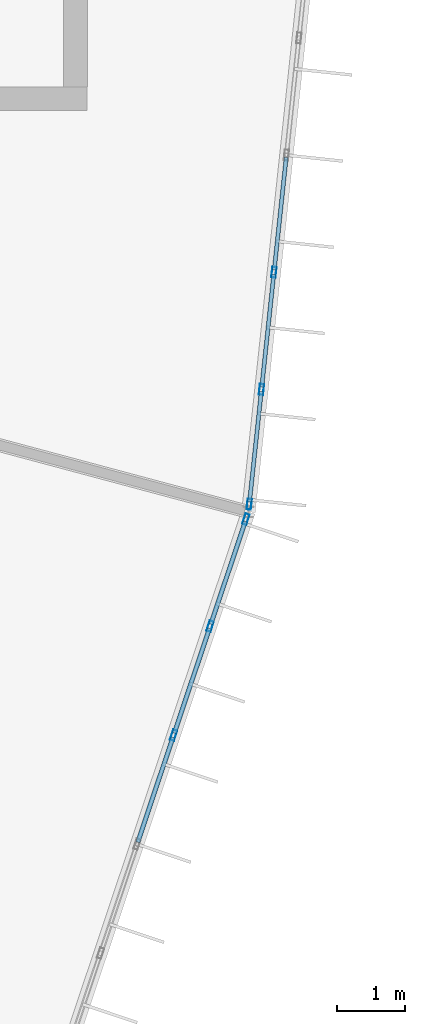
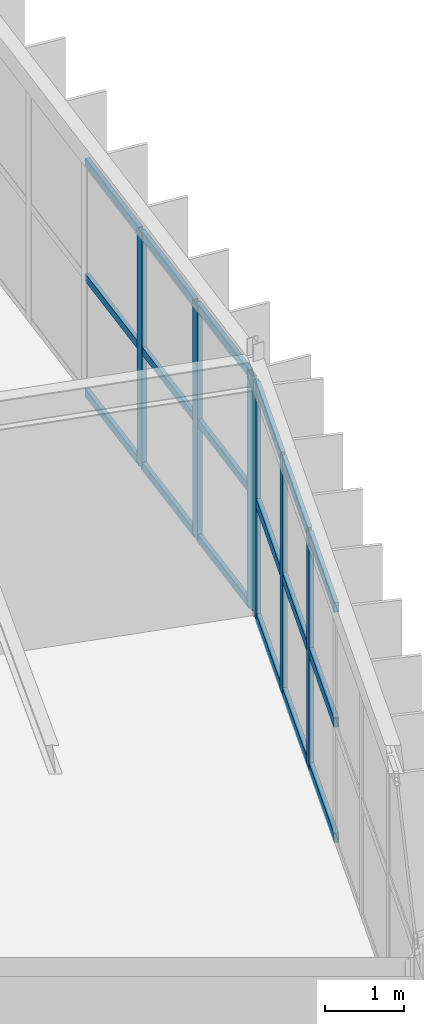
# One storey, part 74 of 157: 24 members, 2 elements without a shape of their own.
"""IFC4 building model written with IfcOpenShell, lengths in metres."""

from ifc_helpers import new_model, si_unit, direction, frame, origin, origin_2d, place, context, subcontext, project, spatial, hollow_rectangle, extrude, material, material_profile, profile_set, type_object, element, aggregate, save


model = new_model("IFC4")

# Units and contexts
model_context = context("Model", 3, precision=1e-05, world=origin(), true_north=direction((0.0, 1.0)))
body_context = subcontext(model_context, "Body", "Model", "MODEL_VIEW")
ifc_project = project(units=[si_unit("LENGTHUNIT", "METRE"), si_unit("AREAUNIT", "SQUARE_METRE"), si_unit("VOLUMEUNIT", "CUBIC_METRE"), si_unit("PLANEANGLEUNIT", "RADIAN"), si_unit("MASSUNIT", "GRAM", prefix="KILO")], contexts=[model_context])

# Site, building, storey
site_placement = place(None, origin())
site = spatial("IfcSite", under=ifc_project, at=site_placement, CompositionType="ELEMENT")
building_placement = place(site_placement, origin())
building = spatial("IfcBuilding", under=site, at=building_placement, Name="Karori Crest Natural Sciences Institute", CompositionType="ELEMENT")
storey_placement = place(building_placement, frame((0.0, 0.0, 13.300048828125)))
storey = spatial("IfcBuildingStorey", under=building, at=storey_placement, Name="L03", CompositionType="ELEMENT", Elevation=13.300048828125)

# Curtain wall, members
ifc_material = material(Name="Anodised architectural aluminium 6063-T6", Category="aluminium")
curtain_wall_type_1 = type_object("IfcCurtainWallType", Name="CWT-03", PredefinedType="NOTDEFINED", material=ifc_material)
curtain_wall_1_placement = place(storey_placement, origin())
curtain_wall_1 = element("IfcCurtainWall", 1, at=curtain_wall_1_placement, inside=storey, type_object=curtain_wall_type_1, Name="Curtain wall CW-0133", PredefinedType="NOTDEFINED")
ifc_material_profile_1 = material_profile(ifc_material, hollow_rectangle(XDim=0.06494140625, YDim=0.159912109375, WallThickness=0.00390625, at=origin_2d()), Name="CWM160x65x4")
ifc_profile_set_1 = profile_set([ifc_material_profile_1], Name="Anodised architectural aluminium 6063-T6")
member_type_1 = type_object("IfcMemberType", Name="CWM-01", PredefinedType="MULLION", material=ifc_profile_set_1)
member_1_placement = place(storey_placement, frame((98.23876953125, 39.230224609375, 0.0), z_axis=(0.0, 0.0, 1.0), x_axis=(0.94819805026, -0.317679803392, 0.0)))
member_1 = element("IfcMember", 2, at=member_1_placement, type_object=member_type_1, Name="CW-0133 mullion 1", PredefinedType="MULLION", context=body_context, shape_type="SweptSolid", body=[
    extrude(hollow_rectangle(XDim=0.06494140625, YDim=0.159912109375, WallThickness=0.00390625, at=origin_2d()), origin(), (0.0, 0.0, 1.0), 3.625),
])
member_2_placement = place(storey_placement, frame((97.7109375, 37.655029296875, 0.0), z_axis=(0.0, 0.0, 1.0), x_axis=(0.94819805026, -0.317679803392, 0.0)))
member_2 = element("IfcMember", 3, at=member_2_placement, type_object=member_type_1, Name="CW-0133 mullion 2", PredefinedType="MULLION", context=body_context, shape_type="SweptSolid", body=[
    extrude(hollow_rectangle(XDim=0.06494140625, YDim=0.159912109375, WallThickness=0.00390625, at=origin_2d()), origin(), (0.0, 0.0, 1.0), 3.625),
])
member_3_placement = place(storey_placement, frame((97.1728515625, 36.049072265625, 0.0), z_axis=(0.0, 0.0, 1.0), x_axis=(0.94819805026, -0.317679803392, 0.0)))
member_3 = element("IfcMember", 4, at=member_3_placement, type_object=member_type_1, Name="CW-0133 mullion 3", PredefinedType="MULLION", context=body_context, shape_type="SweptSolid", body=[
    extrude(hollow_rectangle(XDim=0.06494140625, YDim=0.159912109375, WallThickness=0.00390625, at=origin_2d()), origin(), (0.0, 0.0, 1.0), 3.625),
])

curtain_wall_type_2 = type_object("IfcCurtainWallType", Name="CWT-04", PredefinedType="NOTDEFINED", material=ifc_material)
curtain_wall_2_placement = place(storey_placement, origin())
curtain_wall_2 = element("IfcCurtainWall", 5, at=curtain_wall_2_placement, inside=storey, type_object=curtain_wall_type_2, Name="Curtain wall CW-0135", PredefinedType="NOTDEFINED")
member_4_placement = place(storey_placement, frame((98.6513671875, 42.8701171875, 0.0), z_axis=(0.0, 0.0, 1.0), x_axis=(0.994378309998, -0.105885677057, 0.0)))
member_4 = element("IfcMember", 6, at=member_4_placement, type_object=member_type_1, Name="CW-0135 mullion 5", PredefinedType="MULLION", context=body_context, shape_type="SweptSolid", body=[
    extrude(hollow_rectangle(XDim=0.06494140625, YDim=0.159912109375, WallThickness=0.00390625, at=origin_2d()), origin(), (0.0, 0.0, 1.0), 3.625),
])
member_5_placement = place(storey_placement, frame((98.4677734375, 41.144775390625, 0.0), z_axis=(0.0, 0.0, 1.0), x_axis=(0.994378309998, -0.105885677057, 0.0)))
member_5 = element("IfcMember", 7, at=member_5_placement, type_object=member_type_1, Name="CW-0135 mullion 6", PredefinedType="MULLION", context=body_context, shape_type="SweptSolid", body=[
    extrude(hollow_rectangle(XDim=0.06494140625, YDim=0.159912109375, WallThickness=0.00390625, at=origin_2d()), origin(), (0.0, 0.0, 1.0), 3.625),
])
member_6_placement = place(storey_placement, frame((98.287353515625, 39.45166015625, 0.0), z_axis=(0.0, 0.0, 1.0), x_axis=(0.994378309998, -0.105885677057, 0.0)))
member_6 = element("IfcMember", 8, at=member_6_placement, type_object=member_type_1, Name="CW-0135 mullion 7", PredefinedType="MULLION", context=body_context, shape_type="SweptSolid", body=[
    extrude(hollow_rectangle(XDim=0.06494140625, YDim=0.159912109375, WallThickness=0.00390625, at=origin_2d()), origin(), (0.0, 0.0, 1.0), 3.625),
])
ifc_material_profile_2 = material_profile(ifc_material, hollow_rectangle(XDim=0.06005859375, YDim=0.1201171875, WallThickness=0.00390625, at=origin_2d()), Name="CWT120x60x4")
ifc_profile_set_2 = profile_set([ifc_material_profile_2], Name="Anodised architectural aluminium 6063-T6")
member_type_2 = type_object("IfcMemberType", Name="CWT-TR1", PredefinedType="USERDEFINED", material=ifc_profile_set_2)
member_7_placement = place(storey_placement, frame((98.831787109375, 44.563232421875, 0.030029296875), z_axis=(-0.105841415473, -0.994383022165, 0.0), x_axis=(0.994383022165, -0.105841415473, 0.0)))
member_7 = element("IfcMember", 9, at=member_7_placement, type_object=member_type_2, Name="CW-0135 transom 4.1", ObjectType="TRANSOM", PredefinedType="USERDEFINED", context=body_context, shape_type="SweptSolid", body=[
    extrude(hollow_rectangle(XDim=0.06005859375, YDim=0.1201171875, WallThickness=0.00390625, at=origin_2d()), origin(), (0.0, 0.0, 1.0), 1.669921875),
])
member_8_placement = place(storey_placement, frame((98.831787109375, 44.563232421875, 1.8125), z_axis=(-0.105841415473, -0.994383022165, 0.0), x_axis=(0.994383022165, -0.105841415473, 0.0)))
member_8 = element("IfcMember", 10, at=member_8_placement, type_object=member_type_2, Name="CW-0135 transom 4.2", ObjectType="TRANSOM", PredefinedType="USERDEFINED", context=body_context, shape_type="SweptSolid", body=[
    extrude(hollow_rectangle(XDim=0.06005859375, YDim=0.1201171875, WallThickness=0.00390625, at=origin_2d()), origin(), (0.0, 0.0, 1.0), 1.669921875),
])
member_9_placement = place(storey_placement, frame((98.831787109375, 44.563232421875, 3.594970703125), z_axis=(-0.105841415473, -0.994383022165, 0.0), x_axis=(0.994383022165, -0.105841415473, 0.0)))
member_9 = element("IfcMember", 11, at=member_9_placement, type_object=member_type_2, Name="CW-0135 transom 4.3", ObjectType="TRANSOM", PredefinedType="USERDEFINED", context=body_context, shape_type="SweptSolid", body=[
    extrude(hollow_rectangle(XDim=0.06005859375, YDim=0.1201171875, WallThickness=0.00390625, at=origin_2d()), origin(), (0.0, 0.0, 1.0), 1.669921875),
])
member_10_placement = place(storey_placement, frame((98.64794921875, 42.837890625, 0.030029296875), z_axis=(-0.105826031672, -0.994384659486, 0.0), x_axis=(0.994384659486, -0.105826031672, 0.0)))
member_10 = element("IfcMember", 12, at=member_10_placement, type_object=member_type_2, Name="CW-0135 transom 5.1", ObjectType="TRANSOM", PredefinedType="USERDEFINED", context=body_context, shape_type="SweptSolid", body=[
    extrude(hollow_rectangle(XDim=0.06005859375, YDim=0.1201171875, WallThickness=0.00390625, at=origin_2d()), origin(), (0.0, 0.0, 1.0), 1.670166015625),
])
member_11_placement = place(storey_placement, frame((98.64794921875, 42.837890625, 1.8125), z_axis=(-0.105826031672, -0.994384659486, 0.0), x_axis=(0.994384659486, -0.105826031672, 0.0)))
member_11 = element("IfcMember", 13, at=member_11_placement, type_object=member_type_2, Name="CW-0135 transom 5.2", ObjectType="TRANSOM", PredefinedType="USERDEFINED", context=body_context, shape_type="SweptSolid", body=[
    extrude(hollow_rectangle(XDim=0.06005859375, YDim=0.1201171875, WallThickness=0.00390625, at=origin_2d()), origin(), (0.0, 0.0, 1.0), 1.670166015625),
])
member_12_placement = place(storey_placement, frame((98.64794921875, 42.837890625, 3.594970703125), z_axis=(-0.105826031672, -0.994384659486, 0.0), x_axis=(0.994384659486, -0.105826031672, 0.0)))
member_12 = element("IfcMember", 14, at=member_12_placement, type_object=member_type_2, Name="CW-0135 transom 5.3", ObjectType="TRANSOM", PredefinedType="USERDEFINED", context=body_context, shape_type="SweptSolid", body=[
    extrude(hollow_rectangle(XDim=0.06005859375, YDim=0.1201171875, WallThickness=0.00390625, at=origin_2d()), origin(), (0.0, 0.0, 1.0), 1.670166015625),
])
member_13_placement = place(storey_placement, frame((98.46435546875, 41.112548828125, 0.030029296875), z_axis=(-0.1059804823, -0.994368210157, 0.0), x_axis=(0.994368210157, -0.1059804823, 0.0)))
member_13 = element("IfcMember", 15, at=member_13_placement, type_object=member_type_2, Name="CW-0135 transom 6.1", ObjectType="TRANSOM", PredefinedType="USERDEFINED", context=body_context, shape_type="SweptSolid", body=[
    extrude(hollow_rectangle(XDim=0.06005859375, YDim=0.1201171875, WallThickness=0.00390625, at=origin_2d()), origin(), (0.0, 0.0, 1.0), 1.637939453125),
])
member_14_placement = place(storey_placement, frame((98.46435546875, 41.112548828125, 1.8125), z_axis=(-0.1059804823, -0.994368210157, 0.0), x_axis=(0.994368210157, -0.1059804823, 0.0)))
member_14 = element("IfcMember", 16, at=member_14_placement, type_object=member_type_2, Name="CW-0135 transom 6.2", ObjectType="TRANSOM", PredefinedType="USERDEFINED", context=body_context, shape_type="SweptSolid", body=[
    extrude(hollow_rectangle(XDim=0.06005859375, YDim=0.1201171875, WallThickness=0.00390625, at=origin_2d()), origin(), (0.0, 0.0, 1.0), 1.637939453125),
])
member_15_placement = place(storey_placement, frame((98.46435546875, 41.112548828125, 3.594970703125), z_axis=(-0.1059804823, -0.994368210157, 0.0), x_axis=(0.994368210157, -0.1059804823, 0.0)))
member_15 = element("IfcMember", 17, at=member_15_placement, type_object=member_type_2, Name="CW-0135 transom 6.3", ObjectType="TRANSOM", PredefinedType="USERDEFINED", context=body_context, shape_type="SweptSolid", body=[
    extrude(hollow_rectangle(XDim=0.06005859375, YDim=0.1201171875, WallThickness=0.00390625, at=origin_2d()), origin(), (0.0, 0.0, 1.0), 1.637939453125),
])
aggregate(curtain_wall_2, [member_4, member_5, member_6, member_7, member_8, member_9, member_10, member_11, member_12, member_13, member_14, member_15])

# Member
ifc_material_profile_3 = material_profile(ifc_material, hollow_rectangle(XDim=0.06494140625, YDim=0.14990234375, WallThickness=0.00390625, at=origin_2d()), Name="CWT150x65x4")
ifc_profile_set_3 = profile_set([ifc_material_profile_3], Name="Anodised architectural aluminium 6063-T6")
member_type_3 = type_object("IfcMemberType", Name="CWT-TR2", PredefinedType="USERDEFINED", material=ifc_profile_set_3)
member_16_placement = place(storey_placement, frame((98.228515625, 39.199462890625, 0.032470703125), z_axis=(-0.317695793379, -0.9481926929, 0.0), x_axis=(0.9481926929, -0.317695793379, 0.0)))
member_16 = element("IfcMember", 18, at=member_16_placement, type_object=member_type_3, Name="CW-0133 transom 1.1", ObjectType="TRANSOM", PredefinedType="USERDEFINED", context=body_context, shape_type="SweptSolid", body=[
    extrude(hollow_rectangle(XDim=0.06494140625, YDim=0.14990234375, WallThickness=0.00390625, at=origin_2d()), origin(), (0.0, 0.0, 1.0), 1.59619140625),
])

member_17_placement = place(storey_placement, frame((98.228515625, 39.199462890625, 1.8125), z_axis=(-0.317695793379, -0.9481926929, 0.0), x_axis=(0.9481926929, -0.317695793379, 0.0)))
member_17 = element("IfcMember", 19, at=member_17_placement, type_object=member_type_3, Name="CW-0133 transom 1.2", ObjectType="TRANSOM", PredefinedType="USERDEFINED", context=body_context, shape_type="SweptSolid", body=[
    extrude(hollow_rectangle(XDim=0.06494140625, YDim=0.14990234375, WallThickness=0.00390625, at=origin_2d()), origin(), (0.0, 0.0, 1.0), 1.59619140625),
])

member_18_placement = place(storey_placement, frame((98.228515625, 39.199462890625, 3.592529296875), z_axis=(-0.317695793379, -0.9481926929, 0.0), x_axis=(0.9481926929, -0.317695793379, 0.0)))
member_18 = element("IfcMember", 20, at=member_18_placement, type_object=member_type_3, Name="CW-0133 transom 1.3", ObjectType="TRANSOM", PredefinedType="USERDEFINED", context=body_context, shape_type="SweptSolid", body=[
    extrude(hollow_rectangle(XDim=0.06494140625, YDim=0.14990234375, WallThickness=0.00390625, at=origin_2d()), origin(), (0.0, 0.0, 1.0), 1.59619140625),
])

member_19_placement = place(storey_placement, frame((97.70068359375, 37.624267578125, 0.032470703125), z_axis=(-0.317621421426, -0.948217608279, 0.0), x_axis=(0.948217608279, -0.317621421426, 0.0)))
member_19 = element("IfcMember", 21, at=member_19_placement, type_object=member_type_3, Name="CW-0133 transom 2.1", ObjectType="TRANSOM", PredefinedType="USERDEFINED", context=body_context, shape_type="SweptSolid", body=[
    extrude(hollow_rectangle(XDim=0.06494140625, YDim=0.14990234375, WallThickness=0.00390625, at=origin_2d()), origin(), (0.0, 0.0, 1.0), 1.628662109375),
])

member_20_placement = place(storey_placement, frame((97.70068359375, 37.624267578125, 1.8125), z_axis=(-0.317621421426, -0.948217608279, 0.0), x_axis=(0.948217608279, -0.317621421426, 0.0)))
member_20 = element("IfcMember", 22, at=member_20_placement, type_object=member_type_3, Name="CW-0133 transom 2.2", ObjectType="TRANSOM", PredefinedType="USERDEFINED", context=body_context, shape_type="SweptSolid", body=[
    extrude(hollow_rectangle(XDim=0.06494140625, YDim=0.14990234375, WallThickness=0.00390625, at=origin_2d()), origin(), (0.0, 0.0, 1.0), 1.628662109375),
])

member_21_placement = place(storey_placement, frame((97.70068359375, 37.624267578125, 3.592529296875), z_axis=(-0.317621421426, -0.948217608279, 0.0), x_axis=(0.948217608279, -0.317621421426, 0.0)))
member_21 = element("IfcMember", 23, at=member_21_placement, type_object=member_type_3, Name="CW-0133 transom 2.3", ObjectType="TRANSOM", PredefinedType="USERDEFINED", context=body_context, shape_type="SweptSolid", body=[
    extrude(hollow_rectangle(XDim=0.06494140625, YDim=0.14990234375, WallThickness=0.00390625, at=origin_2d()), origin(), (0.0, 0.0, 1.0), 1.628662109375),
])

member_22_placement = place(storey_placement, frame((97.16259765625, 36.018310546875, 0.032470703125), z_axis=(-0.317621421426, -0.948217608279, 0.0), x_axis=(0.948217608279, -0.317621421426, 0.0)))
member_22 = element("IfcMember", 24, at=member_22_placement, type_object=member_type_3, Name="CW-0133 transom 3.1", ObjectType="TRANSOM", PredefinedType="USERDEFINED", context=body_context, shape_type="SweptSolid", body=[
    extrude(hollow_rectangle(XDim=0.06494140625, YDim=0.14990234375, WallThickness=0.00390625, at=origin_2d()), origin(), (0.0, 0.0, 1.0), 1.628662109375),
])

member_23_placement = place(storey_placement, frame((97.16259765625, 36.018310546875, 1.8125), z_axis=(-0.317621421426, -0.948217608279, 0.0), x_axis=(0.948217608279, -0.317621421426, 0.0)))
member_23 = element("IfcMember", 25, at=member_23_placement, type_object=member_type_3, Name="CW-0133 transom 3.2", ObjectType="TRANSOM", PredefinedType="USERDEFINED", context=body_context, shape_type="SweptSolid", body=[
    extrude(hollow_rectangle(XDim=0.06494140625, YDim=0.14990234375, WallThickness=0.00390625, at=origin_2d()), origin(), (0.0, 0.0, 1.0), 1.628662109375),
])

member_24_placement = place(storey_placement, frame((97.16259765625, 36.018310546875, 3.592529296875), z_axis=(-0.317621421426, -0.948217608279, 0.0), x_axis=(0.948217608279, -0.317621421426, 0.0)))
member_24 = element("IfcMember", 26, at=member_24_placement, type_object=member_type_3, Name="CW-0133 transom 3.3", ObjectType="TRANSOM", PredefinedType="USERDEFINED", context=body_context, shape_type="SweptSolid", body=[
    extrude(hollow_rectangle(XDim=0.06494140625, YDim=0.14990234375, WallThickness=0.00390625, at=origin_2d()), origin(), (0.0, 0.0, 1.0), 1.628662109375),
])

aggregate(curtain_wall_1, [member_1, member_2, member_3, member_16, member_17, member_18, member_19, member_20, member_21, member_22, member_23, member_24])

save(model, "model.ifc")
